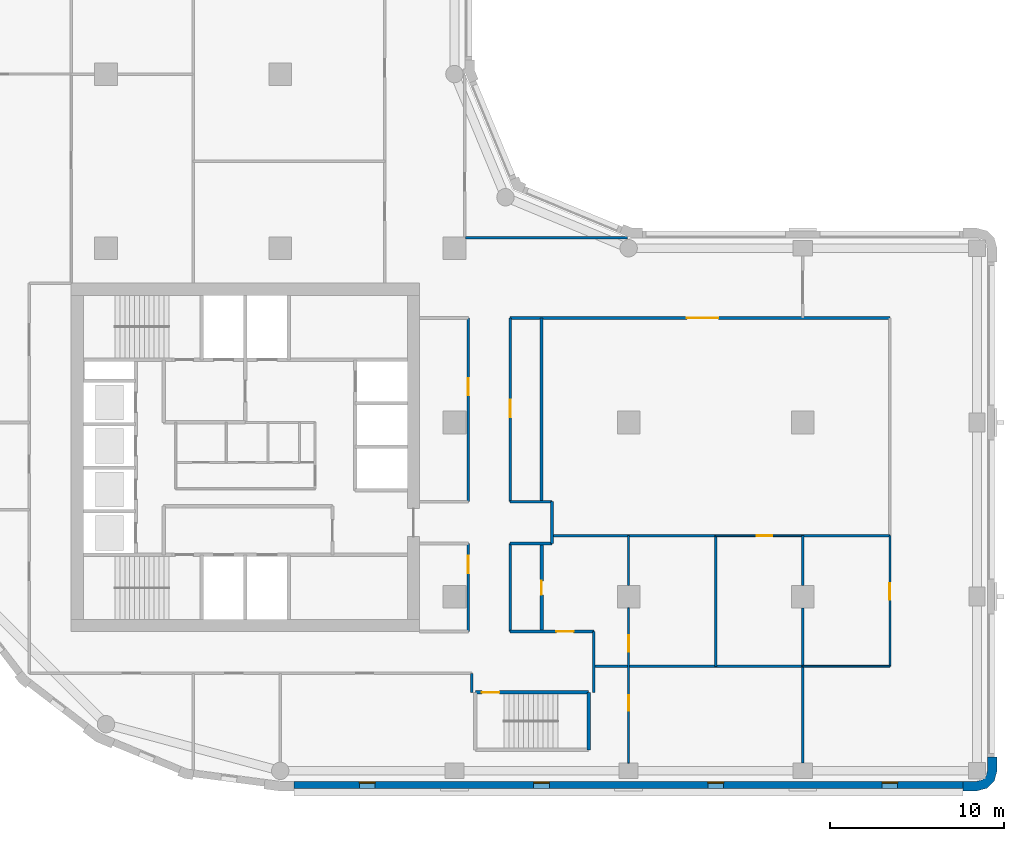
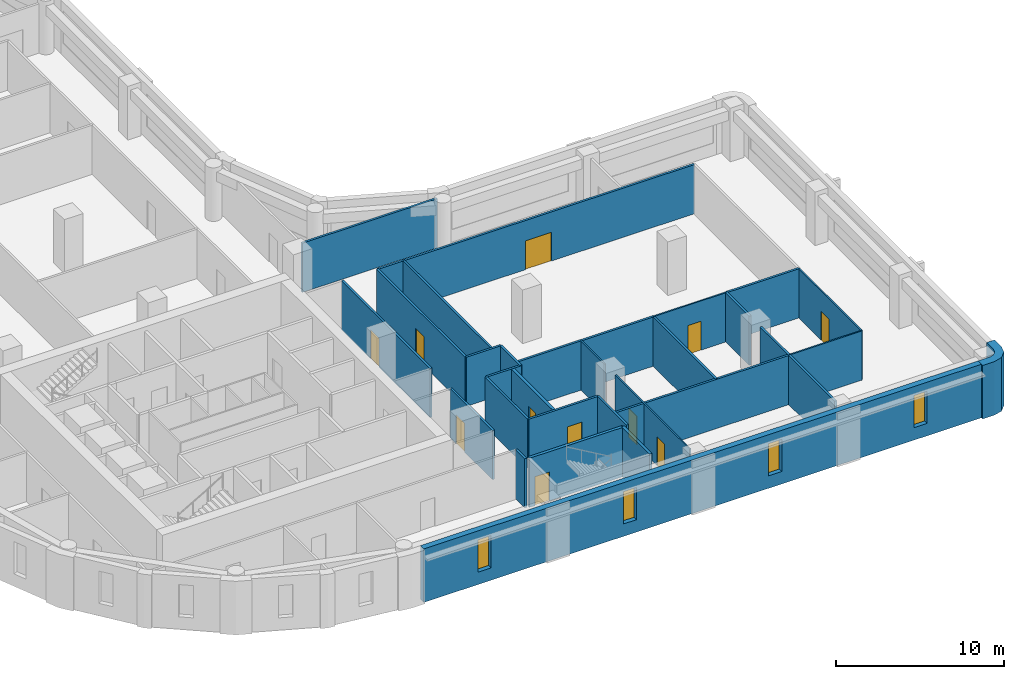
# One storey, part 4 of 10: 29 walls, 11 doors, 4 windows, 15 openings.
"""IFC4 building model written with IfcOpenShell, lengths in metres."""

import ifcopenshell
import ifcopenshell.guid

model = None  # the IFC model being written
_history = None  # IfcOwnerHistory: only IFC2X3 demands one
_inside = {}  # id of a spatial element -> (the spatial element, [elements in it])
_under = {}  # id of a project, library or spatial element -> (it, [spatial elements below it])
_declared = {}  # id of a project -> (the project, [libraries it declares])
_typed = {}  # id of a type object -> (the type object, [elements of that type])
_made_of = {}  # id of a material, layer set ... -> (it, [elements and type objects made of it])


def new_model(schema):
    """Start an empty IFC model of exactly this schema.

    Asked for "IFC4X3", IfcOpenShell would pick the latest addendum, in which some entities
    have other attributes; the version numbers below select the first issue.
    IFC2X3 requires an IfcOwnerHistory on every rooted entity: one is made here for all.
    """
    global model, _history
    if schema == "IFC4X3":
        model = ifcopenshell.file(schema_version=(4, 3, 0, 0))
    else:
        model = ifcopenshell.file(schema=schema)
    _inside.clear()
    _under.clear()
    _declared.clear()
    _typed.clear()
    _made_of.clear()
    _history = None
    if model.schema == "IFC2X3":
        org = make("IfcOrganization", Name="unknown")
        user = make(
            "IfcPersonAndOrganization",
            ThePerson=make("IfcPerson", FamilyName="unknown"),
            TheOrganization=org,
        )
        app = make(
            "IfcApplication",
            ApplicationDeveloper=org,
            Version="unknown",
            ApplicationFullName="unknown",
            ApplicationIdentifier="unknown",
        )
        _history = make(
            "IfcOwnerHistory",
            OwningUser=user,
            OwningApplication=app,
            ChangeAction="ADDED",
            CreationDate=0,
        )
    return model


def make(cls, **values):
    """One entity of the class cls with the attributes given. An attribute that is None is left unset."""
    return model.create_entity(
        cls, **{name: value for name, value in values.items() if value is not None}
    )


def rooted(cls, **values):
    """An entity with a GlobalId (a new one), such as an element, a storey or a relation."""
    return make(cls, GlobalId=ifcopenshell.guid.new(), OwnerHistory=_history, **values)


def si_unit(unit_type, name, prefix=None):
    """IfcSIUnit, for example si_unit("LENGTHUNIT", "METRE", prefix="MILLI")."""
    return make("IfcSIUnit", UnitType=unit_type, Prefix=prefix, Name=name)


def assignment(units):
    """IfcUnitAssignment: the units of a project."""
    return None if units is None else make("IfcUnitAssignment", Units=units)


def point(xyz):
    """IfcCartesianPoint."""
    return None if xyz is None else make("IfcCartesianPoint", Coordinates=xyz)


def direction(xyz):
    """IfcDirection."""
    return None if xyz is None else make("IfcDirection", DirectionRatios=xyz)


def frame(location, z_axis=None, x_axis=None):
    """IfcAxis2Placement3D, a coordinate frame: its origin and axes. An axis left out is left unset."""
    return make(
        "IfcAxis2Placement3D",
        Location=point(location),
        Axis=direction(z_axis),
        RefDirection=direction(x_axis),
    )


def frame_2d(location, x_axis=None):
    """IfcAxis2Placement2D, a coordinate frame in the plane: its origin and x axis."""
    return make(
        "IfcAxis2Placement2D", Location=point(location), RefDirection=direction(x_axis)
    )


def origin():
    """The frame at (0, 0, 0) with its axes left unset."""
    return frame((0.0, 0.0, 0.0))


def place(relative_to, where):
    """IfcLocalPlacement: puts the frame where relative to a parent placement (None: the world)."""
    return make(
        "IfcLocalPlacement", PlacementRelTo=relative_to, RelativePlacement=where
    )


def context(
    kind, dimensions, precision=None, world=None, true_north=None, identifier=None
):
    """IfcGeometricRepresentationContext, for example the 3D "Model" context."""
    return make(
        "IfcGeometricRepresentationContext",
        ContextIdentifier=identifier,
        ContextType=kind,
        CoordinateSpaceDimension=dimensions,
        Precision=precision,
        WorldCoordinateSystem=world,
        TrueNorth=true_north,
    )


def subcontext(parent, identifier, kind, view, scale=None):
    """IfcGeometricRepresentationSubContext, for example "Body" below "Model"."""
    return make(
        "IfcGeometricRepresentationSubContext",
        ContextIdentifier=identifier,
        ContextType=kind,
        ParentContext=parent,
        TargetScale=scale,
        TargetView=view,
    )


def project(units=None, contexts=None):
    """IfcProject with its units and contexts."""
    return rooted(
        "IfcProject",
        Name="project",
        RepresentationContexts=contexts,
        UnitsInContext=assignment(units),
    )


def spatial(cls, under=None, at=None, **own):
    """A site, building, storey or space (cls), placed at a placement, below another one or the project."""
    s = rooted(cls, ObjectPlacement=at, **own)
    if under is not None:
        _under.setdefault(under.id(), (under, []))[1].append(s)
    return s


def polyline(points):
    """IfcPolyline through the points."""
    return make("IfcPolyline", Points=[point(p) for p in points])


def profile(cls, at=None, kind="AREA", **sizes):
    """A parametric profile (cls). Its sizes go by their IFC names, for example OverallWidth=200.0."""
    return make(cls, ProfileType=kind, Position=at, **sizes)


def rectangle(**sizes):
    """IfcRectangleProfileDef."""
    return profile("IfcRectangleProfileDef", **sizes)


def outline(outer, holes=None, kind="AREA"):
    """IfcArbitraryClosedProfileDef: a profile drawn as a closed curve; with holes, ...WithVoids."""
    if holes is None:
        return make("IfcArbitraryClosedProfileDef", ProfileType=kind, OuterCurve=outer)
    return make(
        "IfcArbitraryProfileDefWithVoids",
        ProfileType=kind,
        OuterCurve=outer,
        InnerCurves=holes,
    )


def extrude(swept, where, along, depth):
    """IfcExtrudedAreaSolid: the profile swept, set in the frame where, extruded along a direction by depth."""
    return make(
        "IfcExtrudedAreaSolid",
        SweptArea=swept,
        Position=where,
        ExtrudedDirection=direction(along),
        Depth=depth,
    )


def shape(context_of_items, identifier, shape_type, items):
    """IfcShapeRepresentation: the items that make up one representation, for example the "Body"."""
    return make(
        "IfcShapeRepresentation",
        ContextOfItems=context_of_items,
        RepresentationIdentifier=identifier,
        RepresentationType=shape_type,
        Items=items,
    )


def material(Name=None, Category=None):
    """IfcMaterial."""
    return make("IfcMaterial", Name=Name, Category=Category)


def layer(
    of_material, thickness, ventilated=None, Name=None, Category=None, Priority=None
):
    """IfcMaterialLayer: one layer of a wall or slab, of a material (None: an air gap)."""
    return make(
        "IfcMaterialLayer",
        Material=of_material,
        LayerThickness=thickness,
        IsVentilated=ventilated,
        Name=Name,
        Category=Category,
        Priority=Priority,
    )


def layer_set(layers, Name=None):
    """IfcMaterialLayerSet."""
    return make("IfcMaterialLayerSet", MaterialLayers=layers, LayerSetName=Name)


def made_of(thing, what):
    """Note that an element or type object is made of a material, layer set ...; save() writes the relation."""
    if what is not None:
        _made_of.setdefault(what.id(), (what, []))[1].append(thing)
    return thing


def type_object(cls, material=None, **own):
    """A type object (cls), such as IfcWallType, which elements share."""
    return made_of(rooted(cls, **own), material)


def element(
    cls,
    number,
    at=None,
    inside=None,
    cuts=None,
    type_object=None,
    material=None,
    context=None,
    identifier="Body",
    shape_type=None,
    held_by="IfcProductDefinitionShape",
    body=None,
    shapes=None,
    **own,
):
    """One element of the class cls, such as IfcWall. Its Tag is "e" and its number.

    at: its placement. inside: the storey or other place that contains it. cuts: it is an
    opening in that element (IfcRelVoidsElement). A single representation is given by context,
    identifier, shape_type and body (its items); several are given by shapes. held_by: the class
    of the entity that holds the representations. save() writes the other relations.
    """
    e = rooted(cls, Tag="e%d" % number, ObjectPlacement=at, **own)
    if body is not None:
        shapes = [shape(context, identifier, shape_type, body)]
    if shapes is not None:
        e.Representation = make(held_by, Representations=shapes)
    if inside is not None:
        _inside.setdefault(inside.id(), (inside, []))[1].append(e)
    if cuts is not None:
        rooted(
            "IfcRelVoidsElement", RelatingBuildingElement=cuts, RelatedOpeningElement=e
        )
    if type_object is not None:
        _typed.setdefault(type_object.id(), (type_object, []))[1].append(e)
    return made_of(e, material)


def fill(opening, filler):
    """IfcRelFillsElement: the door or window that sits in an opening."""
    return rooted(
        "IfcRelFillsElement",
        RelatingOpeningElement=opening,
        RelatedBuildingElement=filler,
    )


def aggregate(whole, parts):
    """IfcRelAggregates: a whole, such as a stair, and the parts it consists of."""
    return rooted("IfcRelAggregates", RelatingObject=whole, RelatedObjects=parts)


def save(model, path):
    """Write the relations noted so far, then the file.

    IfcRelAggregates (storeys below a building ...), IfcRelContainedInSpatialStructure (elements
    in a storey), IfcRelDefinesByType, IfcRelAssociatesMaterial and IfcRelDeclares: one each for
    every whole, place, type object, material and project.
    """
    for whole, parts in _under.values():
        aggregate(whole, parts)
    for where, things in _inside.values():
        rooted(
            "IfcRelContainedInSpatialStructure",
            RelatedElements=things,
            RelatingStructure=where,
        )
    for kind, things in _typed.values():
        rooted("IfcRelDefinesByType", RelatedObjects=things, RelatingType=kind)
    for what, things in _made_of.values():
        rooted("IfcRelAssociatesMaterial", RelatedObjects=things, RelatingMaterial=what)
    for by, libraries in _declared.values():
        rooted("IfcRelDeclares", RelatingContext=by, RelatedDefinitions=libraries)
    model.write(path)


model = new_model("IFC4")

# Units and contexts
model_context = context("Model", 3, precision=1e-05, world=origin(), true_north=direction((0.0, 1.0)))
body_context = subcontext(model_context, "Body", "Model", "MODEL_VIEW")
ifc_project = project(units=[si_unit("LENGTHUNIT", "METRE"), si_unit("AREAUNIT", "SQUARE_METRE"), si_unit("VOLUMEUNIT", "CUBIC_METRE"), si_unit("PLANEANGLEUNIT", "RADIAN"), si_unit("MASSUNIT", "GRAM", prefix="KILO")], contexts=[model_context])

# Site, building, storey
site_placement = place(None, origin())
site = spatial("IfcSite", under=ifc_project, at=site_placement, CompositionType="ELEMENT")
building_placement = place(site_placement, origin())
building = spatial("IfcBuilding", under=site, at=building_placement, Name="Qaws Garden Tower", CompositionType="ELEMENT")
storey_placement = place(building_placement, frame((0.0, 0.0, 205.800048828125)))
storey = spatial("IfcBuildingStorey", under=building, at=storey_placement, Name="L50", CompositionType="ELEMENT", Elevation=205.800048828125)

# Wall, opening, door
ifc_material_1 = material(Name="Blockwork", Category="masonry")
ifc_layer_1 = layer(ifc_material_1, 0.199951171875)
ifc_layer_set_1 = layer_set([ifc_layer_1], Name="Blockwork")
wall_type_1 = type_object("IfcWallType", Name="BLOCK WALL 200 EI 60", PredefinedType="PARTITIONING", material=ifc_layer_set_1)
wall_1_placement = place(storey_placement, frame((35.0, 8.0, 0.0), z_axis=(0.0, 0.0, 1.0), x_axis=(0.0, 1.0, 0.0)))
wall_1 = element("IfcWall", 1, at=wall_1_placement, inside=storey, type_object=wall_type_1, Name="O-L50-wall-063", PredefinedType="PARTITIONING", context=body_context, shape_type="SweptSolid", body=[
    extrude(rectangle(XDim=5.050048828125, YDim=0.199951171875, at=frame_2d((2.52490234375, 0.0))), origin(), (0.0, 0.0, 1.0), 3.579833984375),
])
opening_1_placement = place(wall_1_placement, frame((2.10009765625, 0.0, 0.0)))
opening_1 = element("IfcOpeningElement", 2, at=opening_1_placement, cuts=wall_1, Name="Opening B729", PredefinedType="OPENING", context=body_context, shape_type="SweptSolid", body=[
    extrude(rectangle(XDim=0.800048828125, YDim=2.10009765625, at=frame_2d((0.39990234375, 1.050048828125))), frame((0.0, 0.10986328125, 0.0), z_axis=(0.0, -1.0, 0.0), x_axis=(1.0, 0.0, 0.0)), (0.0, 0.0, 1.0), 0.219970703125),
])
ifc_material_2 = material(Name="Timber door leaf", Category="wood")
door_type_1 = type_object("IfcDoorType", Name="STORE DOOR 800 X 2100", OperationType="SINGLE_SWING_LEFT", PredefinedType="DOOR", material=ifc_material_2)
door_1_placement = place(opening_1_placement, origin())
door_1 = element("IfcDoor", 3, at=door_1_placement, inside=storey, type_object=door_type_1, Name="O-L50-door-029", OperationType="SINGLE_SWING_RIGHT", OverallHeight=2.10009765625, OverallWidth=0.800048828125, PredefinedType="DOOR", context=body_context, shape_type="SweptSolid", body=[
    extrude(rectangle(XDim=0.800048828125, YDim=2.10009765625, at=frame_2d((0.39990234375, 1.050048828125))), frame((0.0, 0.02490234375, 0.0), z_axis=(0.0, -1.0, 0.0), x_axis=(1.0, 0.0, 0.0)), (0.0, 0.0, 1.0), 0.050048828125),
])
fill(opening_1, door_1)

# Wall
ifc_material_3 = material(Name="Buff clay facing brick masonry", Category="masonry")
ifc_layer_2 = layer(ifc_material_3, 0.550048828125)
ifc_layer_set_2 = layer_set([ifc_layer_2], Name="Buff clay facing brick masonry")
wall_type_2 = type_object("IfcWallType", Name="Buff brick corner pier 550 x 2400", PredefinedType="SOLIDWALL", material=ifc_layer_set_2)
wall_2_placement = place(storey_placement, origin())
element("IfcWall", 4, at=wall_2_placement, inside=storey, type_object=wall_type_2, Name="E-L50-pier-04", PredefinedType="SOLIDWALL", context=body_context, shape_type="SweptSolid", body=[
    extrude(outline(polyline([(59.199951171875, -1.0), (59.199951171875, -1.14990234375), (60.0, -1.14990234375), (60.574951171875, -0.995849609375), (60.995849609375, -0.574951171875), (61.14990234375, 0.0), (61.14990234375, 0.800048828125), (61.0, 0.800048828125), (60.60009765625, 0.800048828125), (60.60009765625, 0.0), (60.51953125, -0.300048828125), (60.300048828125, -0.51953125), (60.0, -0.60009765625), (59.199951171875, -0.60009765625), (59.199951171875, -1.0)])), origin(), (0.0, 0.0, 1.0), 3.89990234375),
])

# Wall, openings, windows
ifc_material_4 = material(Name="Buff clay facing brick masonry", Category="masonry")
ifc_layer_3 = layer(ifc_material_4, 0.39990234375)
ifc_layer_set_3 = layer_set([ifc_layer_3], Name="Buff clay facing brick masonry")
wall_type_3 = type_object("IfcWallType", Name="Buff brick infill wall 400", PredefinedType="SOLIDWALL", material=ifc_layer_set_3)
wall_3_placement = place(storey_placement, frame((20.800048828125, -0.800048828125, 0.0), z_axis=(0.0, 0.0, 1.0), x_axis=(1.0, 0.0, 0.0)))
wall_3 = element("IfcWall", 5, at=wall_3_placement, inside=storey, type_object=wall_type_3, Name="E-L50-infill-00", PredefinedType="SOLIDWALL", context=body_context, shape_type="SweptSolid", body=[
    extrude(rectangle(XDim=38.39990234375, YDim=0.39990234375, at=frame_2d((19.199951171875, 0.0))), origin(), (0.0, 0.0, 1.0), 3.89990234375),
])
opening_2_placement = place(wall_3_placement, frame((3.75, 0.0, 0.89990234375)))
opening_2 = element("IfcOpeningElement", 6, at=opening_2_placement, cuts=wall_3, Name="Opening W09", PredefinedType="OPENING", context=body_context, shape_type="SweptSolid", body=[
    extrude(rectangle(XDim=0.89990234375, YDim=2.35009765625, at=frame_2d((0.449951171875, 1.175048828125))), frame((0.0, 0.2099609375, 0.0), z_axis=(0.0, -1.0, 0.0), x_axis=(1.0, 0.0, 0.0)), (0.0, 0.0, 1.0), 0.419921875),
])
opening_3_placement = place(wall_3_placement, frame((13.75, 0.0, 0.89990234375)))
opening_3 = element("IfcOpeningElement", 7, at=opening_3_placement, cuts=wall_3, Name="Opening W09", PredefinedType="OPENING", context=body_context, shape_type="SweptSolid", body=[
    extrude(rectangle(XDim=0.89990234375, YDim=2.35009765625, at=frame_2d((0.449951171875, 1.175048828125))), frame((0.0, 0.2099609375, 0.0), z_axis=(0.0, -1.0, 0.0), x_axis=(1.0, 0.0, 0.0)), (0.0, 0.0, 1.0), 0.419921875),
])
opening_4_placement = place(wall_3_placement, frame((23.75, 0.0, 0.89990234375)))
opening_4 = element("IfcOpeningElement", 8, at=opening_4_placement, cuts=wall_3, Name="Opening W09", PredefinedType="OPENING", context=body_context, shape_type="SweptSolid", body=[
    extrude(rectangle(XDim=0.89990234375, YDim=2.35009765625, at=frame_2d((0.449951171875, 1.175048828125))), frame((0.0, 0.2099609375, 0.0), z_axis=(0.0, -1.0, 0.0), x_axis=(1.0, 0.0, 0.0)), (0.0, 0.0, 1.0), 0.419921875),
])
opening_5_placement = place(wall_3_placement, frame((33.75, 0.0, 0.89990234375)))
opening_5 = element("IfcOpeningElement", 9, at=opening_5_placement, cuts=wall_3, Name="Opening W09", PredefinedType="OPENING", context=body_context, shape_type="SweptSolid", body=[
    extrude(rectangle(XDim=0.89990234375, YDim=2.35009765625, at=frame_2d((0.449951171875, 1.175048828125))), frame((0.0, 0.2099609375, 0.0), z_axis=(0.0, -1.0, 0.0), x_axis=(1.0, 0.0, 0.0)), (0.0, 0.0, 1.0), 0.419921875),
])
ifc_material_5 = material(Name="Aluminium framed window, clear glazing", Category="aluminium")
window_type = type_object("IfcWindowType", Name="Slit window 900 x 2350", PartitioningType="SINGLE_PANEL", PredefinedType="WINDOW", material=ifc_material_5)
window_1_placement = place(opening_2_placement, origin())
window_1 = element("IfcWindow", 10, at=window_1_placement, inside=storey, type_object=window_type, Name="E-L50-window-00-0", OverallHeight=2.35009765625, OverallWidth=0.89990234375, PartitioningType="SINGLE_PANEL", PredefinedType="WINDOW", context=body_context, shape_type="SweptSolid", body=[
    extrude(rectangle(XDim=0.89990234375, YDim=2.35009765625, at=frame_2d((0.449951171875, 1.175048828125))), frame((0.0, 0.159912109375, 0.0), z_axis=(0.0, -1.0, 0.0), x_axis=(1.0, 0.0, 0.0)), (0.0, 0.0, 1.0), 0.06005859375),
])
fill(opening_2, window_1)
window_2_placement = place(opening_3_placement, origin())
window_2 = element("IfcWindow", 11, at=window_2_placement, inside=storey, type_object=window_type, Name="E-L50-window-01-0", OverallHeight=2.35009765625, OverallWidth=0.89990234375, PartitioningType="SINGLE_PANEL", PredefinedType="WINDOW", context=body_context, shape_type="SweptSolid", body=[
    extrude(rectangle(XDim=0.89990234375, YDim=2.35009765625, at=frame_2d((0.449951171875, 1.175048828125))), frame((0.0, 0.159912109375, 0.0), z_axis=(0.0, -1.0, 0.0), x_axis=(1.0, 0.0, 0.0)), (0.0, 0.0, 1.0), 0.06005859375),
])
fill(opening_3, window_2)
window_3_placement = place(opening_4_placement, origin())
window_3 = element("IfcWindow", 12, at=window_3_placement, inside=storey, type_object=window_type, Name="E-L50-window-02-0", OverallHeight=2.35009765625, OverallWidth=0.89990234375, PartitioningType="SINGLE_PANEL", PredefinedType="WINDOW", context=body_context, shape_type="SweptSolid", body=[
    extrude(rectangle(XDim=0.89990234375, YDim=2.35009765625, at=frame_2d((0.449951171875, 1.175048828125))), frame((0.0, 0.159912109375, 0.0), z_axis=(0.0, -1.0, 0.0), x_axis=(1.0, 0.0, 0.0)), (0.0, 0.0, 1.0), 0.06005859375),
])
fill(opening_4, window_3)
window_4_placement = place(opening_5_placement, origin())
window_4 = element("IfcWindow", 13, at=window_4_placement, inside=storey, type_object=window_type, Name="E-L50-window-03-0", OverallHeight=2.35009765625, OverallWidth=0.89990234375, PartitioningType="SINGLE_PANEL", PredefinedType="WINDOW", context=body_context, shape_type="SweptSolid", body=[
    extrude(rectangle(XDim=0.89990234375, YDim=2.35009765625, at=frame_2d((0.449951171875, 1.175048828125))), frame((0.0, 0.159912109375, 0.0), z_axis=(0.0, -1.0, 0.0), x_axis=(1.0, 0.0, 0.0)), (0.0, 0.0, 1.0), 0.06005859375),
])
fill(opening_5, window_4)

# Wall, opening, door
ifc_material_6 = material(Name="Concrete C70", Category="concrete")
ifc_layer_4 = layer(ifc_material_6, 0.199951171875)
ifc_layer_set_4 = layer_set([ifc_layer_4], Name="Concrete C70")
wall_type_4 = type_object("IfcWallType", Name="Core shaft wall 200 C70", PredefinedType="SHEAR", material=ifc_layer_set_4)
wall_4_placement = place(storey_placement, frame((31.199951171875, 4.5, 0.0), z_axis=(0.0, 0.0, 1.0), x_axis=(1.0, 0.0, 0.0)))
wall_4 = element("IfcWall", 14, at=wall_4_placement, inside=storey, type_object=wall_type_4, Name="Shaft wall", PredefinedType="SHEAR", context=body_context, shape_type="SweptSolid", body=[
    extrude(rectangle(XDim=6.5, YDim=0.199951171875, at=frame_2d((3.25, 0.0))), origin(), (0.0, 0.0, 1.0), 3.579833984375),
])
opening_6_placement = place(wall_4_placement, frame((0.375, 0.0, 0.0)))
opening_6 = element("IfcOpeningElement", 15, at=opening_6_placement, cuts=wall_4, Name="Opening SD12", PredefinedType="OPENING", context=body_context, shape_type="SweptSolid", body=[
    extrude(rectangle(XDim=1.0, YDim=2.10009765625, at=frame_2d((0.5, 1.050048828125))), frame((0.0, 0.10986328125, 0.0), z_axis=(0.0, -1.0, 0.0), x_axis=(1.0, 0.0, 0.0)), (0.0, 0.0, 1.0), 0.219970703125),
])
ifc_material_7 = material(Name="Steel S235", Category="steel")
door_type_2 = type_object("IfcDoorType", Name="Stair door 1000x2100", OperationType="SINGLE_SWING_RIGHT", PredefinedType="DOOR", material=ifc_material_7)
door_2_placement = place(opening_6_placement, frame((1.0, 0.0, 0.0), z_axis=(0.0, 0.0, 1.0), x_axis=(-1.0, 0.0, 0.0)))
door_2 = element("IfcDoor", 16, at=door_2_placement, inside=storey, type_object=door_type_2, Name="Stair 5 door", OperationType="SINGLE_SWING_RIGHT", OverallHeight=2.10009765625, OverallWidth=1.0, PredefinedType="DOOR", context=body_context, shape_type="SweptSolid", body=[
    extrude(rectangle(XDim=1.0, YDim=2.10009765625, at=frame_2d((0.5, 1.050048828125))), frame((0.0, 0.02490234375, 0.0), z_axis=(0.0, -1.0, 0.0), x_axis=(1.0, 0.0, 0.0)), (0.0, 0.0, 1.0), 0.050048828125),
])
fill(opening_6, door_2)

# Wall
wall_5_placement = place(storey_placement, frame((37.699951171875, 1.199951171875, 0.0), z_axis=(0.0, 0.0, 1.0), x_axis=(0.0, 1.0, 0.0)))
element("IfcWall", 17, at=wall_5_placement, inside=storey, type_object=wall_type_4, Name="Shaft wall", PredefinedType="SHEAR", context=body_context, shape_type="SweptSolid", body=[
    extrude(rectangle(XDim=3.300048828125, YDim=0.199951171875, at=frame_2d((1.64990234375, 0.0))), origin(), (0.0, 0.0, 1.0), 3.579833984375),
])

# Wall, openings, doors
ifc_material_8 = material(Name="Gypsum board partition")
ifc_layer_5 = layer(ifc_material_8, 0.10009765625)
ifc_layer_set_5 = layer_set([ifc_layer_5], Name="Gypsum board partition")
wall_type_5 = type_object("IfcWallType", Name="PARTITION 100", PredefinedType="PARTITIONING", material=ifc_layer_set_5)
wall_6_placement = place(storey_placement, frame((40.0, 0.449951171875, 0.0), z_axis=(0.0, 0.0, 1.0), x_axis=(0.0, 1.0, 0.0)))
wall_6 = element("IfcWall", 18, at=wall_6_placement, inside=storey, type_object=wall_type_5, Name="O-L50-wall-003", PredefinedType="PARTITIONING", context=body_context, shape_type="SweptSolid", body=[
    extrude(rectangle(XDim=8.900146484375, YDim=0.10009765625, at=frame_2d((4.4501953125, 0.0))), origin(), (0.0, 0.0, 1.0), 3.579833984375),
])
opening_7_placement = place(wall_6_placement, frame((6.375, 0.0, 0.0)))
opening_7 = element("IfcOpeningElement", 19, at=opening_7_placement, cuts=wall_6, Name="Opening B722", PredefinedType="OPENING", context=body_context, shape_type="SweptSolid", body=[
    extrude(rectangle(XDim=0.949951171875, YDim=2.10009765625, at=frame_2d((0.47509765625, 1.050048828125))), frame((0.0, 0.06005859375, 0.0), z_axis=(0.0, -1.0, 0.0), x_axis=(1.0, 0.0, 0.0)), (0.0, 0.0, 1.0), 0.1201171875),
])
opening_8_placement = place(wall_6_placement, frame((3.0, 0.0, 0.0)))
opening_8 = element("IfcOpeningElement", 20, at=opening_8_placement, cuts=wall_6, Name="Opening B725", PredefinedType="OPENING", context=body_context, shape_type="SweptSolid", body=[
    extrude(rectangle(XDim=0.89990234375, YDim=2.10009765625, at=frame_2d((0.449951171875, 1.050048828125))), frame((0.0, 0.06005859375, 0.0), z_axis=(0.0, -1.0, 0.0), x_axis=(1.0, 0.0, 0.0)), (0.0, 0.0, 1.0), 0.1201171875),
])
ifc_material_9 = material(Name="Timber and glass door leaf", Category="wood")
door_type_3 = type_object("IfcDoorType", Name="GLAZED DOOR 950 X 2100", OperationType="SINGLE_SWING_LEFT", PredefinedType="DOOR", material=ifc_material_9)
door_3_placement = place(opening_7_placement, origin())
door_3 = element("IfcDoor", 21, at=door_3_placement, inside=storey, type_object=door_type_3, Name="O-L50-door-022", OperationType="SINGLE_SWING_LEFT", OverallHeight=2.10009765625, OverallWidth=0.949951171875, PredefinedType="DOOR", context=body_context, shape_type="SweptSolid", body=[
    extrude(rectangle(XDim=0.949951171875, YDim=2.10009765625, at=frame_2d((0.47509765625, 1.050048828125))), frame((0.0, 0.02490234375, 0.0), z_axis=(0.0, -1.0, 0.0), x_axis=(1.0, 0.0, 0.0)), (0.0, 0.0, 1.0), 0.050048828125),
])
fill(opening_7, door_3)
ifc_material_10 = material(Name="Timber door leaf", Category="wood")
door_type_4 = type_object("IfcDoorType", Name="OFFICE DOOR 900 X 2100", OperationType="SINGLE_SWING_LEFT", PredefinedType="DOOR", material=ifc_material_10)
door_4_placement = place(opening_8_placement, frame((0.89990234375, 0.0, 0.0), z_axis=(0.0, 0.0, 1.0), x_axis=(-1.0, 0.0, 0.0)))
door_4 = element("IfcDoor", 22, at=door_4_placement, inside=storey, type_object=door_type_4, Name="O-L50-door-025", OperationType="SINGLE_SWING_LEFT", OverallHeight=2.10009765625, OverallWidth=0.89990234375, PredefinedType="DOOR", context=body_context, shape_type="SweptSolid", body=[
    extrude(rectangle(XDim=0.89990234375, YDim=2.10009765625, at=frame_2d((0.449951171875, 1.050048828125))), frame((0.0, 0.02490234375, 0.0), z_axis=(0.0, -1.0, 0.0), x_axis=(1.0, 0.0, 0.0)), (0.0, 0.0, 1.0), 0.050048828125),
])
fill(opening_8, door_4)

# Wall
wall_7_placement = place(storey_placement, frame((40.0, 10.64990234375, 0.0), z_axis=(0.0, 0.0, 1.0), x_axis=(0.0, 1.0, 0.0)))
element("IfcWall", 23, at=wall_7_placement, inside=storey, type_object=wall_type_5, Name="O-L50-wall-004", PredefinedType="PARTITIONING", context=body_context, shape_type="SweptSolid", body=[
    extrude(rectangle(XDim=2.85009765625, YDim=0.10009765625, at=frame_2d((1.425048828125, 0.0))), origin(), (0.0, 0.0, 1.0), 3.579833984375),
])

# Wall, opening, door
wall_8_placement = place(storey_placement, frame((55.0, 6.0, 0.0), z_axis=(0.0, 0.0, 1.0), x_axis=(0.0, 1.0, 0.0)))
wall_8 = element("IfcWall", 24, at=wall_8_placement, inside=storey, type_object=wall_type_5, Name="O-L50-wall-005", PredefinedType="PARTITIONING", context=body_context, shape_type="SweptSolid", body=[
    extrude(rectangle(XDim=7.5, YDim=0.10009765625, at=frame_2d((3.75, 0.0))), origin(), (0.0, 0.0, 1.0), 3.579833984375),
])
opening_9_placement = place(wall_8_placement, frame((3.824951171875, 0.0, 0.0)))
opening_9 = element("IfcOpeningElement", 25, at=opening_9_placement, cuts=wall_8, Name="Opening B724", PredefinedType="OPENING", context=body_context, shape_type="SweptSolid", body=[
    extrude(rectangle(XDim=0.949951171875, YDim=2.10009765625, at=frame_2d((0.47509765625, 1.050048828125))), frame((0.0, 0.06005859375, 0.0), z_axis=(0.0, -1.0, 0.0), x_axis=(1.0, 0.0, 0.0)), (0.0, 0.0, 1.0), 0.1201171875),
])
door_5_placement = place(opening_9_placement, origin())
door_5 = element("IfcDoor", 26, at=door_5_placement, inside=storey, type_object=door_type_3, Name="O-L50-door-024", OperationType="SINGLE_SWING_RIGHT", OverallHeight=2.10009765625, OverallWidth=0.949951171875, PredefinedType="DOOR", context=body_context, shape_type="SweptSolid", body=[
    extrude(rectangle(XDim=0.949951171875, YDim=2.10009765625, at=frame_2d((0.47509765625, 1.050048828125))), frame((0.0, 0.02490234375, 0.0), z_axis=(0.0, -1.0, 0.0), x_axis=(1.0, 0.0, 0.0)), (0.0, 0.0, 1.0), 0.050048828125),
])
fill(opening_9, door_5)

# Wall
wall_9_placement = place(storey_placement, frame((50.0, 6.0, 0.0), z_axis=(0.0, 0.0, 1.0), x_axis=(1.0, 0.0, 0.0)))
element("IfcWall", 27, at=wall_9_placement, inside=storey, type_object=wall_type_5, Name="O-L50-wall-006", PredefinedType="PARTITIONING", context=body_context, shape_type="SweptSolid", body=[
    extrude(rectangle(XDim=5.0, YDim=0.10009765625, at=frame_2d((2.5, 0.0))), origin(), (0.0, 0.0, 1.0), 3.579833984375),
])

# Wall, opening, door
wall_10_placement = place(storey_placement, frame((45.0, 13.5, 0.0), z_axis=(0.0, 0.0, 1.0), x_axis=(1.0, 0.0, 0.0)))
wall_10 = element("IfcWall", 28, at=wall_10_placement, inside=storey, type_object=wall_type_5, Name="O-L50-wall-007", PredefinedType="PARTITIONING", context=body_context, shape_type="SweptSolid", body=[
    extrude(rectangle(XDim=5.0, YDim=0.10009765625, at=frame_2d((2.5, 0.0))), origin(), (0.0, 0.0, 1.0), 3.579833984375),
])
opening_10_placement = place(wall_10_placement, frame((2.35009765625, 0.0, 0.0)))
opening_10 = element("IfcOpeningElement", 29, at=opening_10_placement, cuts=wall_10, Name="Opening B723", PredefinedType="OPENING", context=body_context, shape_type="SweptSolid", body=[
    extrude(rectangle(XDim=0.89990234375, YDim=2.10009765625, at=frame_2d((0.449951171875, 1.050048828125))), frame((0.0, 0.06005859375, 0.0), z_axis=(0.0, -1.0, 0.0), x_axis=(1.0, 0.0, 0.0)), (0.0, 0.0, 1.0), 0.1201171875),
])
door_6_placement = place(opening_10_placement, frame((0.89990234375, 0.0, 0.0), z_axis=(0.0, 0.0, 1.0), x_axis=(-1.0, 0.0, 0.0)))
door_6 = element("IfcDoor", 30, at=door_6_placement, inside=storey, type_object=door_type_4, Name="O-L50-door-023", OperationType="SINGLE_SWING_RIGHT", OverallHeight=2.10009765625, OverallWidth=0.89990234375, PredefinedType="DOOR", context=body_context, shape_type="SweptSolid", body=[
    extrude(rectangle(XDim=0.89990234375, YDim=2.10009765625, at=frame_2d((0.449951171875, 1.050048828125))), frame((0.0, 0.02490234375, 0.0), z_axis=(0.0, -1.0, 0.0), x_axis=(1.0, 0.0, 0.0)), (0.0, 0.0, 1.0), 0.050048828125),
])
fill(opening_10, door_6)

ifc_material_11 = material(Name="Gypsum board partition")
ifc_layer_6 = layer(ifc_material_11, 0.14990234375)
ifc_layer_set_6 = layer_set([ifc_layer_6], Name="Gypsum board partition")
wall_type_6 = type_object("IfcWallType", Name="PARTITION 150 EI 60", PredefinedType="PARTITIONING", material=ifc_layer_set_6)
wall_11_placement = place(storey_placement, frame((30.800048828125, 8.0, 0.0), z_axis=(0.0, 0.0, 1.0), x_axis=(0.0, 1.0, 0.0)))
wall_11 = element("IfcWall", 31, at=wall_11_placement, inside=storey, type_object=wall_type_6, Name="O-L50-wall-021", PredefinedType="PARTITIONING", context=body_context, shape_type="SweptSolid", body=[
    extrude(rectangle(XDim=5.050048828125, YDim=0.14990234375, at=frame_2d((2.52490234375, 0.0))), origin(), (0.0, 0.0, 1.0), 3.579833984375),
])
opening_11_placement = place(wall_11_placement, frame((3.35009765625, 0.0, 0.0)))
opening_11 = element("IfcOpeningElement", 32, at=opening_11_placement, cuts=wall_11, Name="Opening B721", PredefinedType="OPENING", context=body_context, shape_type="SweptSolid", body=[
    extrude(rectangle(XDim=1.0, YDim=2.10009765625, at=frame_2d((0.5, 1.050048828125))), frame((0.0, 0.0849609375, 0.0), z_axis=(0.0, -1.0, 0.0), x_axis=(1.0, 0.0, 0.0)), (0.0, 0.0, 1.0), 0.169921875),
])
ifc_material_12 = material(Name="Timber door leaf", Category="wood")
door_type_5 = type_object("IfcDoorType", Name="TENANCY ENTRANCE DOOR 1000 X 2100", OperationType="SINGLE_SWING_LEFT", PredefinedType="DOOR", material=ifc_material_12)
door_7_placement = place(opening_11_placement, origin())
door_7 = element("IfcDoor", 33, at=door_7_placement, inside=storey, type_object=door_type_5, Name="O-L50-door-021", OperationType="SINGLE_SWING_RIGHT", OverallHeight=2.10009765625, OverallWidth=1.0, PredefinedType="DOOR", context=body_context, shape_type="SweptSolid", body=[
    extrude(rectangle(XDim=1.0, YDim=2.10009765625, at=frame_2d((0.5, 1.050048828125))), frame((0.0, 0.02490234375, 0.0), z_axis=(0.0, -1.0, 0.0), x_axis=(1.0, 0.0, 0.0)), (0.0, 0.0, 1.0), 0.050048828125),
])
fill(opening_11, door_7)

wall_12_placement = place(storey_placement, frame((30.800048828125, 15.449951171875, 0.0), z_axis=(0.0, 0.0, 1.0), x_axis=(0.0, 1.0, 0.0)))
wall_12 = element("IfcWall", 34, at=wall_12_placement, inside=storey, type_object=wall_type_6, Name="O-L50-wall-022", PredefinedType="PARTITIONING", context=body_context, shape_type="SweptSolid", body=[
    extrude(rectangle(XDim=10.550048828125, YDim=0.14990234375, at=frame_2d((5.27490234375, 0.0))), origin(), (0.0, 0.0, 1.0), 3.579833984375),
])
opening_12_placement = place(wall_12_placement, frame((6.10009765625, 0.0, 0.0)))
opening_12 = element("IfcOpeningElement", 35, at=opening_12_placement, cuts=wall_12, Name="Opening B719", PredefinedType="OPENING", context=body_context, shape_type="SweptSolid", body=[
    extrude(rectangle(XDim=1.0, YDim=2.10009765625, at=frame_2d((0.5, 1.050048828125))), frame((0.0, 0.0849609375, 0.0), z_axis=(0.0, -1.0, 0.0), x_axis=(1.0, 0.0, 0.0)), (0.0, 0.0, 1.0), 0.169921875),
])
door_8_placement = place(opening_12_placement, origin())
door_8 = element("IfcDoor", 36, at=door_8_placement, inside=storey, type_object=door_type_5, Name="O-L50-door-019", OperationType="SINGLE_SWING_RIGHT", OverallHeight=2.10009765625, OverallWidth=1.0, PredefinedType="DOOR", context=body_context, shape_type="SweptSolid", body=[
    extrude(rectangle(XDim=1.0, YDim=2.10009765625, at=frame_2d((0.5, 1.050048828125))), frame((0.0, 0.02490234375, 0.0), z_axis=(0.0, -1.0, 0.0), x_axis=(1.0, 0.0, 0.0)), (0.0, 0.0, 1.0), 0.050048828125),
])
fill(opening_12, door_8)

# Walls
wall_13_placement = place(storey_placement, frame((31.0, 4.5, 0.0), z_axis=(0.0, 0.0, 1.0), x_axis=(0.0, 1.0, 0.0)))
element("IfcWall", 37, at=wall_13_placement, inside=storey, type_object=wall_type_6, Name="O-L50-wall-023", PredefinedType="PARTITIONING", context=body_context, shape_type="SweptSolid", body=[
    extrude(rectangle(XDim=1.10009765625, YDim=0.14990234375, at=frame_2d((0.550048828125, 0.0))), origin(), (0.0, 0.0, 1.0), 3.579833984375),
])
wall_14_placement = place(storey_placement, frame((33.199951171875, 8.0, 0.0), z_axis=(0.0, 0.0, 1.0), x_axis=(0.0, 1.0, 0.0)))
element("IfcWall", 38, at=wall_14_placement, inside=storey, type_object=wall_type_6, Name="O-L50-wall-024", PredefinedType="PARTITIONING", context=body_context, shape_type="SweptSolid", body=[
    extrude(rectangle(XDim=5.050048828125, YDim=0.14990234375, at=frame_2d((2.52490234375, 0.0))), origin(), (0.0, 0.0, 1.0), 3.579833984375),
])

# Wall, opening, door
wall_15_placement = place(storey_placement, frame((33.199951171875, 15.449951171875, 0.0), z_axis=(0.0, 0.0, 1.0), x_axis=(0.0, 1.0, 0.0)))
wall_15 = element("IfcWall", 39, at=wall_15_placement, inside=storey, type_object=wall_type_6, Name="O-L50-wall-025", PredefinedType="PARTITIONING", context=body_context, shape_type="SweptSolid", body=[
    extrude(rectangle(XDim=10.550048828125, YDim=0.14990234375, at=frame_2d((5.27490234375, 0.0))), origin(), (0.0, 0.0, 1.0), 3.579833984375),
])
opening_13_placement = place(wall_15_placement, frame((4.85009765625, 0.0, 0.0)))
opening_13 = element("IfcOpeningElement", 40, at=opening_13_placement, cuts=wall_15, Name="Opening B718", PredefinedType="OPENING", context=body_context, shape_type="SweptSolid", body=[
    extrude(rectangle(XDim=1.0, YDim=2.10009765625, at=frame_2d((0.5, 1.050048828125))), frame((0.0, 0.0849609375, 0.0), z_axis=(0.0, -1.0, 0.0), x_axis=(1.0, 0.0, 0.0)), (0.0, 0.0, 1.0), 0.169921875),
])
door_9_placement = place(opening_13_placement, frame((1.0, 0.0, 0.0), z_axis=(0.0, 0.0, 1.0), x_axis=(-1.0, 0.0, 0.0)))
door_9 = element("IfcDoor", 41, at=door_9_placement, inside=storey, type_object=door_type_5, Name="O-L50-door-018", OperationType="SINGLE_SWING_LEFT", OverallHeight=2.10009765625, OverallWidth=1.0, PredefinedType="DOOR", context=body_context, shape_type="SweptSolid", body=[
    extrude(rectangle(XDim=1.0, YDim=2.10009765625, at=frame_2d((0.5, 1.050048828125))), frame((0.0, 0.02490234375, 0.0), z_axis=(0.0, -1.0, 0.0), x_axis=(1.0, 0.0, 0.0)), (0.0, 0.0, 1.0), 0.050048828125),
])
fill(opening_13, door_9)

# Walls
wall_16_placement = place(storey_placement, frame((35.0, 15.449951171875, 0.0), z_axis=(0.0, 0.0, 1.0), x_axis=(0.0, 1.0, 0.0)))
element("IfcWall", 42, at=wall_16_placement, inside=storey, type_object=wall_type_6, Name="O-L50-wall-026", PredefinedType="PARTITIONING", context=body_context, shape_type="SweptSolid", body=[
    extrude(rectangle(XDim=10.550048828125, YDim=0.14990234375, at=frame_2d((5.27490234375, 0.0))), origin(), (0.0, 0.0, 1.0), 3.579833984375),
])
wall_17_placement = place(storey_placement, frame((35.60009765625, 13.050048828125, 0.0), z_axis=(0.0, 0.0, 1.0), x_axis=(0.0, 1.0, 0.0)))
element("IfcWall", 43, at=wall_17_placement, inside=storey, type_object=wall_type_6, Name="O-L50-wall-027", PredefinedType="PARTITIONING", context=body_context, shape_type="SweptSolid", body=[
    extrude(rectangle(XDim=2.39990234375, YDim=0.14990234375, at=frame_2d((1.199951171875, 0.0))), origin(), (0.0, 0.0, 1.0), 3.579833984375),
])
wall_18_placement = place(storey_placement, frame((38.0, 4.5, 0.0), z_axis=(0.0, 0.0, 1.0), x_axis=(0.0, 1.0, 0.0)))
element("IfcWall", 44, at=wall_18_placement, inside=storey, type_object=wall_type_6, Name="O-L50-wall-028", PredefinedType="PARTITIONING", context=body_context, shape_type="SweptSolid", body=[
    extrude(rectangle(XDim=3.5, YDim=0.14990234375, at=frame_2d((1.75, 0.0))), origin(), (0.0, 0.0, 1.0), 3.579833984375),
])
wall_19_placement = place(storey_placement, frame((45.0, 6.0, 0.0), z_axis=(0.0, 0.0, 1.0), x_axis=(0.0, 1.0, 0.0)))
element("IfcWall", 45, at=wall_19_placement, inside=storey, type_object=wall_type_6, Name="O-L50-wall-029", PredefinedType="PARTITIONING", context=body_context, shape_type="SweptSolid", body=[
    extrude(rectangle(XDim=7.5, YDim=0.14990234375, at=frame_2d((3.75, 0.0))), origin(), (0.0, 0.0, 1.0), 3.579833984375),
])
wall_20_placement = place(storey_placement, frame((50.0, 0.449951171875, 0.0), z_axis=(0.0, 0.0, 1.0), x_axis=(0.0, 1.0, 0.0)))
element("IfcWall", 46, at=wall_20_placement, inside=storey, type_object=wall_type_6, Name="O-L50-wall-030", PredefinedType="PARTITIONING", context=body_context, shape_type="SweptSolid", body=[
    extrude(rectangle(XDim=8.900146484375, YDim=0.14990234375, at=frame_2d((4.4501953125, 0.0))), origin(), (0.0, 0.0, 1.0), 3.579833984375),
])
wall_21_placement = place(storey_placement, frame((50.0, 10.64990234375, 0.0), z_axis=(0.0, 0.0, 1.0), x_axis=(0.0, 1.0, 0.0)))
element("IfcWall", 47, at=wall_21_placement, inside=storey, type_object=wall_type_6, Name="O-L50-wall-031", PredefinedType="PARTITIONING", context=body_context, shape_type="SweptSolid", body=[
    extrude(rectangle(XDim=2.85009765625, YDim=0.14990234375, at=frame_2d((1.425048828125, 0.0))), origin(), (0.0, 0.0, 1.0), 3.579833984375),
])
wall_22_placement = place(storey_placement, frame((38.0, 6.0, 0.0), z_axis=(0.0, 0.0, 1.0), x_axis=(1.0, 0.0, 0.0)))
element("IfcWall", 48, at=wall_22_placement, inside=storey, type_object=wall_type_6, Name="O-L50-wall-035", PredefinedType="PARTITIONING", context=body_context, shape_type="SweptSolid", body=[
    extrude(rectangle(XDim=12.0, YDim=0.14990234375, at=frame_2d((6.0, 0.0))), origin(), (0.0, 0.0, 1.0), 3.579833984375),
])

# Wall, opening, door
wall_23_placement = place(storey_placement, frame((33.199951171875, 8.0, 0.0), z_axis=(0.0, 0.0, 1.0), x_axis=(1.0, 0.0, 0.0)))
wall_23 = element("IfcWall", 49, at=wall_23_placement, inside=storey, type_object=wall_type_6, Name="O-L50-wall-037", PredefinedType="PARTITIONING", context=body_context, shape_type="SweptSolid", body=[
    extrude(rectangle(XDim=4.800048828125, YDim=0.14990234375, at=frame_2d((2.39990234375, 0.0))), origin(), (0.0, 0.0, 1.0), 3.579833984375),
])
opening_14_placement = place(wall_23_placement, frame((2.64990234375, 0.0, 0.0)))
opening_14 = element("IfcOpeningElement", 50, at=opening_14_placement, cuts=wall_23, Name="Opening B703", PredefinedType="OPENING", context=body_context, shape_type="SweptSolid", body=[
    extrude(rectangle(XDim=1.0, YDim=2.10009765625, at=frame_2d((0.5, 1.050048828125))), frame((0.0, 0.0849609375, 0.0), z_axis=(0.0, -1.0, 0.0), x_axis=(1.0, 0.0, 0.0)), (0.0, 0.0, 1.0), 0.169921875),
])
door_10_placement = place(opening_14_placement, origin())
door_10 = element("IfcDoor", 51, at=door_10_placement, inside=storey, type_object=door_type_5, Name="O-L50-door-003", OperationType="SINGLE_SWING_LEFT", OverallHeight=2.10009765625, OverallWidth=1.0, PredefinedType="DOOR", context=body_context, shape_type="SweptSolid", body=[
    extrude(rectangle(XDim=1.0, YDim=2.10009765625, at=frame_2d((0.5, 1.050048828125))), frame((0.0, 0.02490234375, 0.0), z_axis=(0.0, -1.0, 0.0), x_axis=(1.0, 0.0, 0.0)), (0.0, 0.0, 1.0), 0.050048828125),
])
fill(opening_14, door_10)

# Walls
wall_24_placement = place(storey_placement, frame((33.199951171875, 13.050048828125, 0.0), z_axis=(0.0, 0.0, 1.0), x_axis=(1.0, 0.0, 0.0)))
element("IfcWall", 52, at=wall_24_placement, inside=storey, type_object=wall_type_6, Name="O-L50-wall-039", PredefinedType="PARTITIONING", context=body_context, shape_type="SweptSolid", body=[
    extrude(rectangle(XDim=2.400146484375, YDim=0.14990234375, at=frame_2d((1.2001953125, 0.0))), origin(), (0.0, 0.0, 1.0), 3.579833984375),
])
wall_25_placement = place(storey_placement, frame((35.60009765625, 13.5, 0.0), z_axis=(0.0, 0.0, 1.0), x_axis=(1.0, 0.0, 0.0)))
element("IfcWall", 53, at=wall_25_placement, inside=storey, type_object=wall_type_6, Name="O-L50-wall-040", PredefinedType="PARTITIONING", context=body_context, shape_type="SweptSolid", body=[
    extrude(rectangle(XDim=9.39990234375, YDim=0.14990234375, at=frame_2d((4.699951171875, 0.0))), origin(), (0.0, 0.0, 1.0), 3.579833984375),
])
wall_26_placement = place(storey_placement, frame((50.0, 13.5, 0.0), z_axis=(0.0, 0.0, 1.0), x_axis=(1.0, 0.0, 0.0)))
element("IfcWall", 54, at=wall_26_placement, inside=storey, type_object=wall_type_6, Name="O-L50-wall-041", PredefinedType="PARTITIONING", context=body_context, shape_type="SweptSolid", body=[
    extrude(rectangle(XDim=5.0, YDim=0.14990234375, at=frame_2d((2.5, 0.0))), origin(), (0.0, 0.0, 1.0), 3.579833984375),
])
wall_27_placement = place(storey_placement, frame((33.199951171875, 15.449951171875, 0.0), z_axis=(0.0, 0.0, 1.0), x_axis=(1.0, 0.0, 0.0)))
element("IfcWall", 55, at=wall_27_placement, inside=storey, type_object=wall_type_6, Name="O-L50-wall-044", PredefinedType="PARTITIONING", context=body_context, shape_type="SweptSolid", body=[
    extrude(rectangle(XDim=2.400146484375, YDim=0.14990234375, at=frame_2d((1.2001953125, 0.0))), origin(), (0.0, 0.0, 1.0), 3.579833984375),
])

# Wall, opening, door
wall_28_placement = place(storey_placement, frame((33.199951171875, 26.0, 0.0), z_axis=(0.0, 0.0, 1.0), x_axis=(1.0, 0.0, 0.0)))
wall_28 = element("IfcWall", 56, at=wall_28_placement, inside=storey, type_object=wall_type_6, Name="O-L50-wall-047", PredefinedType="PARTITIONING", context=body_context, shape_type="SweptSolid", body=[
    extrude(rectangle(XDim=21.800048828125, YDim=0.14990234375, at=frame_2d((10.89990234375, 0.0))), origin(), (0.0, 0.0, 1.0), 3.579833984375),
])
opening_15_placement = place(wall_28_placement, frame((10.14990234375, 0.0, 0.0)))
opening_15 = element("IfcOpeningElement", 57, at=opening_15_placement, cuts=wall_28, Name="Opening B720", PredefinedType="OPENING", context=body_context, shape_type="SweptSolid", body=[
    extrude(rectangle(XDim=1.800048828125, YDim=2.10009765625, at=frame_2d((0.89990234375, 1.050048828125))), frame((0.0, 0.0849609375, 0.0), z_axis=(0.0, -1.0, 0.0), x_axis=(1.0, 0.0, 0.0)), (0.0, 0.0, 1.0), 0.169921875),
])
ifc_material_13 = material(Name="Timber door leaf", Category="wood")
door_type_6 = type_object("IfcDoorType", Name="DOUBLE DOOR 1800 X 2100", OperationType="DOUBLE_DOOR_SINGLE_SWING", PredefinedType="DOOR", material=ifc_material_13)
door_11_placement = place(opening_15_placement, frame((1.800048828125, 0.0, 0.0), z_axis=(0.0, 0.0, 1.0), x_axis=(-1.0, 0.0, 0.0)))
door_11 = element("IfcDoor", 58, at=door_11_placement, inside=storey, type_object=door_type_6, Name="O-L50-door-020", OperationType="DOUBLE_DOOR_SINGLE_SWING", OverallHeight=2.10009765625, OverallWidth=1.800048828125, PredefinedType="DOOR", context=body_context, shape_type="SweptSolid", body=[
    extrude(rectangle(XDim=1.800048828125, YDim=2.10009765625, at=frame_2d((0.89990234375, 1.050048828125))), frame((0.0, 0.02490234375, 0.0), z_axis=(0.0, -1.0, 0.0), x_axis=(1.0, 0.0, 0.0)), (0.0, 0.0, 1.0), 0.050048828125),
])
fill(opening_15, door_11)

# Wall
wall_29_placement = place(storey_placement, frame((30.64990234375, 30.60009765625, 0.0), z_axis=(0.0, 0.0, 1.0), x_axis=(1.0, 0.0, 0.0)))
element("IfcWall", 59, at=wall_29_placement, inside=storey, type_object=wall_type_6, Name="O-L50-wall-049", PredefinedType="PARTITIONING", context=body_context, shape_type="SweptSolid", body=[
    extrude(rectangle(XDim=9.288330078125, YDim=0.14990234375, at=frame_2d((4.64404296875, 0.0))), origin(), (0.0, 0.0, 1.0), 3.579833984375),
])

save(model, "model.ifc")
